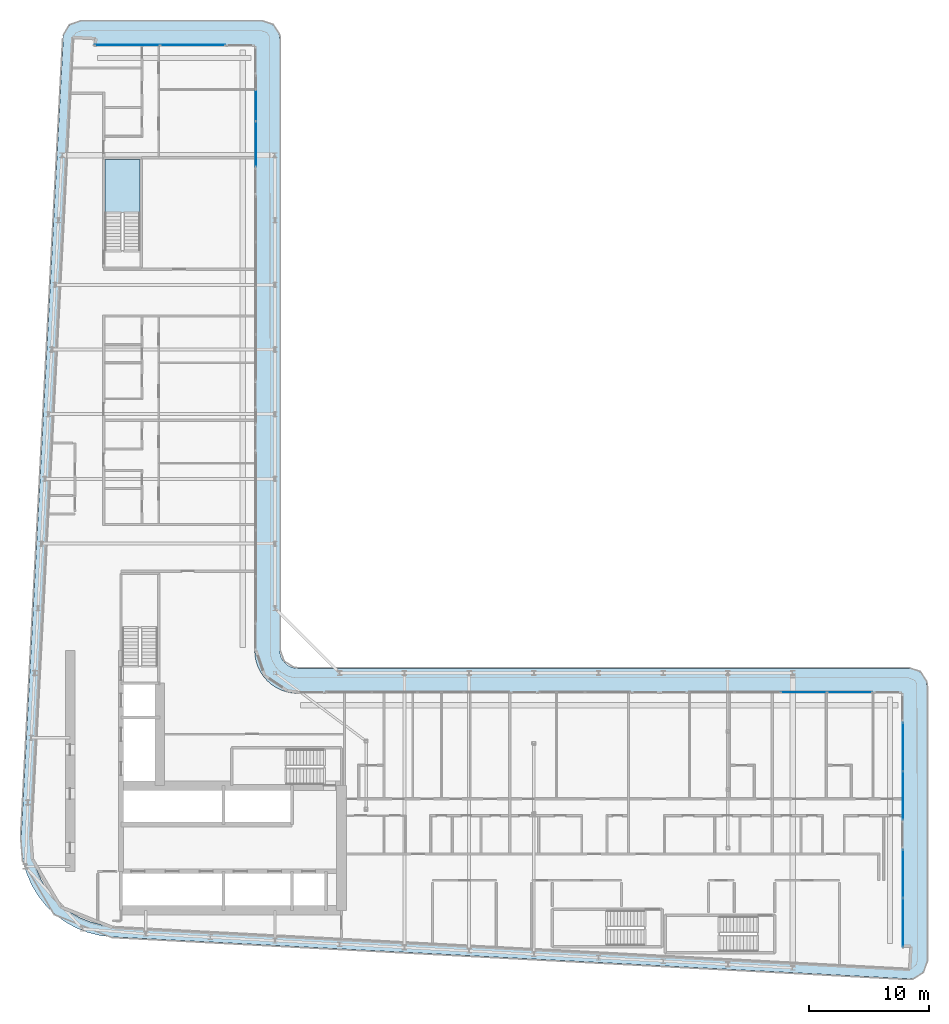
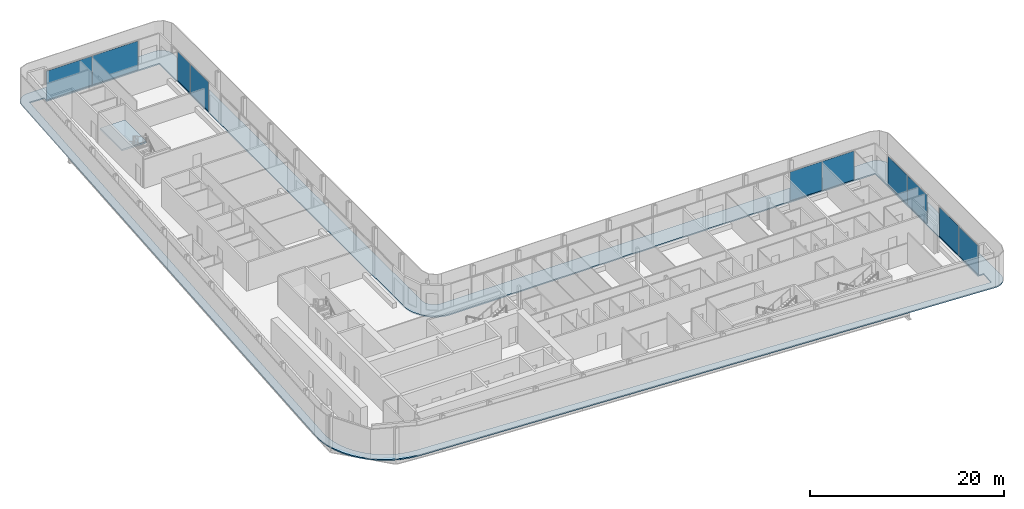
# One storey, part 14 of 30: 10 plates, 2 slabs, 6 elements without a shape of their own.
"""IFC4 building model written with IfcOpenShell, lengths in metres."""

from ifc_helpers import new_model, si_unit, direction, frame, origin, origin_2d, place, context, subcontext, project, spatial, polyline, rectangle, outline, extrude, material, layer, layer_set, type_object, element, aggregate, save


model = new_model("IFC4")

# Units and contexts
model_context = context("Model", 3, precision=1e-05, world=origin(), true_north=direction((0.0, 1.0)))
body_context = subcontext(model_context, "Body", "Model", "MODEL_VIEW")
ifc_project = project(units=[si_unit("LENGTHUNIT", "METRE"), si_unit("AREAUNIT", "SQUARE_METRE"), si_unit("VOLUMEUNIT", "CUBIC_METRE"), si_unit("PLANEANGLEUNIT", "RADIAN"), si_unit("MASSUNIT", "GRAM", prefix="KILO")], contexts=[model_context])

# Site, building, storey
site_placement = place(None, origin())
site = spatial("IfcSite", under=ifc_project, at=site_placement, CompositionType="ELEMENT")
building_placement = place(site_placement, origin())
building = spatial("IfcBuilding", under=site, at=building_placement, Name="Kheshtan School and Residences Tower", CompositionType="ELEMENT")
storey_placement = place(building_placement, frame((0.0, 0.0, 199.39990234375)))
storey = spatial("IfcBuildingStorey", under=building, at=storey_placement, Name="L47", CompositionType="ELEMENT", Elevation=199.39990234375)

# Curtain wall, plates
ifc_material_1 = material(Name="Clear low-e glass in thermally broken aluminium frame", Category="aluminium")
ifc_layer_1 = layer(ifc_material_1, 0.199951171875)
ifc_layer_set_1 = layer_set([ifc_layer_1], Name="Curtain wall CW-L")
curtain_wall_type = type_object("IfcCurtainWallType", Name="Curtain wall CW-L", PredefinedType="NOTDEFINED", material=ifc_layer_set_1)
curtain_wall_1_placement = place(storey_placement, origin())
curtain_wall_1 = element("IfcCurtainWall", 1, at=curtain_wall_1_placement, inside=storey, type_object=curtain_wall_type, Name="Curtain wall CWL7", PredefinedType="NOTDEFINED")
ifc_layer_2 = layer(ifc_material_1, 0.031982421875)
ifc_layer_set_2 = layer_set([ifc_layer_2], Name="CW-L glass panel")
plate_type = type_object("IfcPlateType", Name="CW-L glass panel", PredefinedType="CURTAIN_PANEL", material=ifc_layer_set_2)
plate_1_placement = place(storey_placement, frame((35.259033203125, 98.0, 0.000244140625), z_axis=(0.0, 0.0, 1.0), x_axis=(1.0, 0.0, 0.0)))
plate_1 = element("IfcPlate", 2, at=plate_1_placement, type_object=plate_type, Name="CWL7 panel 1.1", PredefinedType="CURTAIN_PANEL", context=body_context, shape_type="SweptSolid", body=[
    extrude(rectangle(XDim=5.4140625, YDim=0.031982421875, at=origin_2d()), origin(), (0.0, 0.0, 1.0), 3.6298828125),
])
plate_2_placement = place(storey_placement, frame((40.73291015625, 98.0, 0.000244140625), z_axis=(0.0, 0.0, 1.0), x_axis=(1.0, 0.0, 0.0)))
plate_2 = element("IfcPlate", 3, at=plate_2_placement, type_object=plate_type, Name="CWL7 panel 2.1", PredefinedType="CURTAIN_PANEL", context=body_context, shape_type="SweptSolid", body=[
    extrude(rectangle(XDim=5.4140625, YDim=0.031982421875, at=origin_2d()), origin(), (0.0, 0.0, 1.0), 3.6298828125),
])
aggregate(curtain_wall_1, [plate_1, plate_2])

curtain_wall_2_placement = place(storey_placement, origin())
curtain_wall_2 = element("IfcCurtainWall", 4, at=curtain_wall_2_placement, inside=storey, type_object=curtain_wall_type, Name="Curtain wall CWL8c", PredefinedType="NOTDEFINED")
plate_3_placement = place(storey_placement, frame((46.0, 92.9765625, 0.000244140625), z_axis=(0.0, 0.0, 1.0), x_axis=(0.0, -1.0, 0.0)))
plate_3 = element("IfcPlate", 5, at=plate_3_placement, type_object=plate_type, Name="CWL8c panel 2.1", PredefinedType="CURTAIN_PANEL", context=body_context, shape_type="SweptSolid", body=[
    extrude(rectangle(XDim=2.5869140625, YDim=0.031982421875, at=origin_2d()), origin(), (0.0, 0.0, 1.0), 3.6298828125),
])
plate_4_placement = place(storey_placement, frame((46.0, 89.744384765625, 0.000244140625), z_axis=(0.0, 0.0, 1.0), x_axis=(0.0, -1.0, 0.0)))
plate_4 = element("IfcPlate", 6, at=plate_4_placement, type_object=plate_type, Name="CWL8c panel 3.1", PredefinedType="CURTAIN_PANEL", context=body_context, shape_type="SweptSolid", body=[
    extrude(rectangle(XDim=3.757080078125, YDim=0.031982421875, at=origin_2d()), origin(), (0.0, 0.0, 1.0), 3.6298828125),
])
aggregate(curtain_wall_2, [plate_3, plate_4])

curtain_wall_3_placement = place(storey_placement, origin())
curtain_wall_3 = element("IfcCurtainWall", 7, at=curtain_wall_3_placement, inside=storey, type_object=curtain_wall_type, Name="Curtain wall CWL12j", PredefinedType="NOTDEFINED")
plate_5_placement = place(storey_placement, frame((91.714599609375, 44.0, 0.000244140625), z_axis=(0.0, 0.0, 1.0), x_axis=(1.0, 0.0, 0.0)))
plate_5 = element("IfcPlate", 8, at=plate_5_placement, type_object=plate_type, Name="CWL12j panel 1.1", PredefinedType="CURTAIN_PANEL", context=body_context, shape_type="SweptSolid", body=[
    extrude(rectangle(XDim=3.81689453125, YDim=0.031982421875, at=origin_2d()), origin(), (0.0, 0.0, 1.0), 3.6298828125),
])
plate_6_placement = place(storey_placement, frame((95.5615234375, 44.0, 0.000244140625), z_axis=(0.0, 0.0, 1.0), x_axis=(1.0, 0.0, 0.0)))
plate_6 = element("IfcPlate", 9, at=plate_6_placement, type_object=plate_type, Name="CWL12j panel 2.1", PredefinedType="CURTAIN_PANEL", context=body_context, shape_type="SweptSolid", body=[
    extrude(rectangle(XDim=3.757080078125, YDim=0.031982421875, at=origin_2d()), origin(), (0.0, 0.0, 1.0), 3.6298828125),
])
aggregate(curtain_wall_3, [plate_5, plate_6])

curtain_wall_4_placement = place(storey_placement, origin())
curtain_wall_4 = element("IfcCurtainWall", 10, at=curtain_wall_4_placement, inside=storey, type_object=curtain_wall_type, Name="Curtain wall CWL13b", PredefinedType="NOTDEFINED")
plate_7_placement = place(storey_placement, frame((100.0, 39.436767578125, 0.000244140625), z_axis=(0.0, 0.0, 1.0), x_axis=(0.0, -1.0, 0.0)))
plate_7 = element("IfcPlate", 11, at=plate_7_placement, type_object=plate_type, Name="CWL13b panel 1.1", PredefinedType="CURTAIN_PANEL", context=body_context, shape_type="SweptSolid", body=[
    extrude(rectangle(XDim=4.006591796875, YDim=0.031982421875, at=origin_2d()), origin(), (0.0, 0.0, 1.0), 3.6298828125),
])
plate_8_placement = place(storey_placement, frame((100.0, 35.370361328125, 0.000244140625), z_axis=(0.0, 0.0, 1.0), x_axis=(0.0, -1.0, 0.0)))
plate_8 = element("IfcPlate", 12, at=plate_8_placement, type_object=plate_type, Name="CWL13b panel 2.1", PredefinedType="CURTAIN_PANEL", context=body_context, shape_type="SweptSolid", body=[
    extrude(rectangle(XDim=4.006591796875, YDim=0.031982421875, at=origin_2d()), origin(), (0.0, 0.0, 1.0), 3.6298828125),
])
aggregate(curtain_wall_4, [plate_7, plate_8])

curtain_wall_5_placement = place(storey_placement, origin())
curtain_wall_5 = element("IfcCurtainWall", 13, at=curtain_wall_5_placement, inside=storey, type_object=curtain_wall_type, Name="Curtain wall CWL13b", PredefinedType="NOTDEFINED")
plate_9_placement = place(storey_placement, frame((100.0, 28.84375, 0.000244140625), z_axis=(0.0, 0.0, 1.0), x_axis=(0.0, -1.0, 0.0)))
plate_9 = element("IfcPlate", 14, at=plate_9_placement, type_object=plate_type, Name="CWL13b panel 1.1", PredefinedType="CURTAIN_PANEL", context=body_context, shape_type="SweptSolid", body=[
    extrude(rectangle(XDim=4.006591796875, YDim=0.031982421875, at=origin_2d()), origin(), (0.0, 0.0, 1.0), 3.6298828125),
])
plate_10_placement = place(storey_placement, frame((100.0, 24.77734375, 0.000244140625), z_axis=(0.0, 0.0, 1.0), x_axis=(0.0, -1.0, 0.0)))
plate_10 = element("IfcPlate", 15, at=plate_10_placement, type_object=plate_type, Name="CWL13b panel 2.1", PredefinedType="CURTAIN_PANEL", context=body_context, shape_type="SweptSolid", body=[
    extrude(rectangle(XDim=4.006591796875, YDim=0.031982421875, at=origin_2d()), origin(), (0.0, 0.0, 1.0), 3.6298828125),
])
aggregate(curtain_wall_5, [plate_9, plate_10])

# Slab
ifc_material_2 = material(Name="Concrete C40/50", Category="concrete")
ifc_layer_3 = layer(ifc_material_2, 0.14990234375)
ifc_layer_set_3 = layer_set([ifc_layer_3], Name="Loggia balcony slab 150 Concrete C40/50")
slab_type_1 = type_object("IfcSlabType", Name="Loggia balcony slab 150 Concrete C40/50", PredefinedType="FLOOR", material=ifc_layer_set_3)
slab_1_placement = place(storey_placement, frame((0.0, 0.0, -0.14990234375)))
element("IfcSlab", 16, at=slab_1_placement, inside=storey, type_object=slab_type_1, Name="Loggia balcony slab L47", PredefinedType="FLOOR", context=body_context, shape_type="SweptSolid", body=[
    extrude(outline(polyline([(28.4580078125, 26.222900390625), (28.45703125, 26.222900390625), (28.45703125, 26.22412109375), (28.4560546875, 26.22412109375), (27.81494140625, 27.0390625), (27.281005859375, 27.93798828125), (26.867919921875, 28.89990234375), (26.583984375, 29.89990234375), (26.583984375, 29.906982421875), (26.43408203125, 30.943115234375), (26.419921875, 31.989013671875), (29.925048828125, 98.5791015625), (29.930908203125, 98.626953125), (29.930908203125, 98.6279296875), (29.929931640625, 98.6279296875), (29.929931640625, 98.62890625), (29.928955078125, 98.62890625), (29.928955078125, 98.6298828125), (29.927978515625, 98.6298828125), (29.927978515625, 98.631103515625), (29.927001953125, 98.631103515625), (29.927001953125, 98.632080078125), (29.927001953125, 98.633056640625), (29.945068359375, 98.781005859375), (29.945068359375, 98.783935546875), (29.945068359375, 98.784912109375), (29.946044921875, 98.784912109375), (29.946044921875, 98.785888671875), (29.947021484375, 98.785888671875), (29.947021484375, 98.787109375), (29.947998046875, 98.787109375), (29.948974609375, 98.787109375), (29.948974609375, 98.7880859375), (29.949951171875, 98.7880859375), (29.949951171875, 98.7890625), (29.949951171875, 98.791015625), (30.0029296875, 98.98388671875), (30.083984375, 99.175048828125), (30.18896484375, 99.35302734375), (30.31103515625, 99.507080078125), (30.31201171875, 99.507080078125), (30.31201171875, 99.508056640625), (30.31298828125, 99.508056640625), (30.31298828125, 99.509033203125), (30.31396484375, 99.509033203125), (30.31396484375, 99.510009765625), (30.31494140625, 99.510009765625), (30.31494140625, 99.510986328125), (30.31591796875, 99.510986328125), (30.31591796875, 99.511962890625), (30.31689453125, 99.511962890625), (30.31689453125, 99.512939453125), (30.318115234375, 99.512939453125), (30.320068359375, 99.512939453125), (30.321044921875, 99.512939453125), (30.321044921875, 99.513916015625), (30.468017578125, 99.656982421875), (30.468994140625, 99.656982421875), (30.468994140625, 99.657958984375), (30.469970703125, 99.657958984375), (30.469970703125, 99.658935546875), (30.470947265625, 99.658935546875), (30.470947265625, 99.659912109375), (30.471923828125, 99.659912109375), (30.471923828125, 99.660888671875), (30.472900390625, 99.660888671875), (30.472900390625, 99.662109375), (30.47412109375, 99.662109375), (30.47412109375, 99.6630859375), (30.47509765625, 99.6630859375), (30.47509765625, 99.6640625), (30.635986328125, 99.777099609375), (30.820068359375, 99.873046875), (31.007080078125, 99.943115234375), (31.013916015625, 99.943115234375), (31.217041015625, 99.986083984375), (31.423095703125, 100.0), (46.5, 100.0), (46.696044921875, 99.987060546875), (46.887939453125, 99.948974609375), (46.89501953125, 99.948974609375), (47.073974609375, 99.885986328125), (47.243896484375, 99.801025390625), (47.2451171875, 99.801025390625), (47.2470703125, 99.801025390625), (47.248046875, 99.801025390625), (47.248046875, 99.802001953125), (47.2490234375, 99.802001953125), (47.2490234375, 99.802978515625), (47.25, 99.802978515625), (47.2529296875, 99.802978515625), (47.25390625, 99.802978515625), (47.25390625, 99.802001953125), (47.2548828125, 99.802001953125), (47.2548828125, 99.801025390625), (47.256103515625, 99.801025390625), (47.256103515625, 99.800048828125), (47.257080078125, 99.800048828125), (47.257080078125, 99.799072265625), (47.258056640625, 99.799072265625), (47.258056640625, 99.798095703125), (47.412109375, 99.696044921875), (47.4130859375, 99.696044921875), (47.4130859375, 99.695068359375), (47.4140625, 99.695068359375), (47.4140625, 99.694091796875), (47.4140625, 99.68994140625), (47.4140625, 99.68896484375), (47.4150390625, 99.68896484375), (47.4150390625, 99.68798828125), (47.416015625, 99.68798828125), (47.416015625, 99.68701171875), (47.4169921875, 99.68701171875), (47.4169921875, 99.68603515625), (47.554931640625, 99.568115234375), (47.554931640625, 99.56689453125), (47.555908203125, 99.56689453125), (47.555908203125, 99.56591796875), (47.556884765625, 99.56591796875), (47.556884765625, 99.56494140625), (47.55810546875, 99.56494140625), (47.55810546875, 99.56396484375), (47.55908203125, 99.56396484375), (47.55908203125, 99.56298828125), (47.56005859375, 99.56298828125), (47.56005859375, 99.56201171875), (47.56103515625, 99.56201171875), (47.56201171875, 99.56103515625), (47.56201171875, 99.56005859375), (47.56298828125, 99.56005859375), (47.56298828125, 99.55908203125), (47.56396484375, 99.55908203125), (47.56396484375, 99.55810546875), (47.56494140625, 99.55810546875), (47.56494140625, 99.556884765625), (47.56591796875, 99.556884765625), (47.56591796875, 99.555908203125), (47.56689453125, 99.555908203125), (47.56689453125, 99.554931640625), (47.568115234375, 99.554931640625), (47.68505859375, 99.41796875), (47.68603515625, 99.41796875), (47.68603515625, 99.4169921875), (47.68701171875, 99.4169921875), (47.68701171875, 99.416015625), (47.68798828125, 99.416015625), (47.68798828125, 99.4150390625), (47.68896484375, 99.4150390625), (47.68896484375, 99.4140625), (47.68994140625, 99.4140625), (47.694091796875, 99.4140625), (47.695068359375, 99.4140625), (47.695068359375, 99.4130859375), (47.696044921875, 99.4130859375), (47.696044921875, 99.412109375), (47.797119140625, 99.259033203125), (47.798095703125, 99.259033203125), (47.798095703125, 99.258056640625), (47.799072265625, 99.258056640625), (47.799072265625, 99.257080078125), (47.800048828125, 99.257080078125), (47.800048828125, 99.256103515625), (47.801025390625, 99.256103515625), (47.801025390625, 99.2548828125), (47.802001953125, 99.2548828125), (47.802001953125, 99.25390625), (47.802978515625, 99.25390625), (47.802978515625, 99.2529296875), (47.802978515625, 99.25), (47.802978515625, 99.2490234375), (47.802001953125, 99.2490234375), (47.802001953125, 99.248046875), (47.801025390625, 99.248046875), (47.801025390625, 99.2470703125), (47.801025390625, 99.243896484375), (47.801025390625, 99.242919921875), (47.885986328125, 99.073974609375), (47.948974609375, 98.89501953125), (47.948974609375, 98.887939453125), (47.987060546875, 98.696044921875), (48.0, 98.5), (48.0, 47.5), (48.012939453125, 47.303955078125), (48.051025390625, 47.113037109375), (48.051025390625, 47.10693359375), (48.051025390625, 47.10595703125), (48.114013671875, 46.926025390625), (48.200927734375, 46.75), (48.31005859375, 46.5869140625), (48.431884765625, 46.444091796875), (48.43310546875, 46.444091796875), (48.43310546875, 46.443115234375), (48.43408203125, 46.443115234375), (48.43408203125, 46.44189453125), (48.43505859375, 46.44189453125), (48.43505859375, 46.44091796875), (48.43603515625, 46.44091796875), (48.43603515625, 46.43994140625), (48.43701171875, 46.43994140625), (48.43701171875, 46.43896484375), (48.43798828125, 46.43896484375), (48.43896484375, 46.43798828125), (48.43896484375, 46.43701171875), (48.43994140625, 46.43701171875), (48.43994140625, 46.43603515625), (48.44091796875, 46.43603515625), (48.44091796875, 46.43505859375), (48.44189453125, 46.43505859375), (48.44189453125, 46.43408203125), (48.443115234375, 46.43408203125), (48.443115234375, 46.43310546875), (48.444091796875, 46.43310546875), (48.444091796875, 46.431884765625), (48.5869140625, 46.31005859375), (48.75, 46.200927734375), (48.926025390625, 46.114013671875), (49.10595703125, 46.051025390625), (49.10693359375, 46.051025390625), (49.113037109375, 46.051025390625), (49.303955078125, 46.012939453125), (49.5, 46.0), (100.5, 46.0), (100.696044921875, 45.987060546875), (100.887939453125, 45.948974609375), (100.89501953125, 45.948974609375), (101.073974609375, 45.885986328125), (101.241943359375, 45.801025390625), (101.242919921875, 45.801025390625), (101.2470703125, 45.801025390625), (101.248046875, 45.801025390625), (101.248046875, 45.802001953125), (101.2490234375, 45.802001953125), (101.2490234375, 45.802978515625), (101.25, 45.802978515625), (101.2529296875, 45.802978515625), (101.25390625, 45.802978515625), (101.25390625, 45.802001953125), (101.2548828125, 45.802001953125), (101.2548828125, 45.801025390625), (101.256103515625, 45.801025390625), (101.256103515625, 45.800048828125), (101.257080078125, 45.800048828125), (101.257080078125, 45.799072265625), (101.258056640625, 45.799072265625), (101.258056640625, 45.798095703125), (101.259033203125, 45.798095703125), (101.259033203125, 45.797119140625), (101.260009765625, 45.797119140625), (101.260009765625, 45.7958984375), (101.412109375, 45.696044921875), (101.4130859375, 45.696044921875), (101.4130859375, 45.695068359375), (101.4140625, 45.695068359375), (101.4140625, 45.694091796875), (101.4140625, 45.68994140625), (101.4140625, 45.68896484375), (101.4150390625, 45.68896484375), (101.4150390625, 45.68798828125), (101.416015625, 45.68798828125), (101.416015625, 45.68701171875), (101.4169921875, 45.68701171875), (101.4169921875, 45.68603515625), (101.41796875, 45.68603515625), (101.41796875, 45.68505859375), (101.4189453125, 45.68505859375), (101.4189453125, 45.68408203125), (101.554931640625, 45.568115234375), (101.554931640625, 45.56689453125), (101.555908203125, 45.56689453125), (101.555908203125, 45.56591796875), (101.556884765625, 45.56591796875), (101.556884765625, 45.56494140625), (101.55810546875, 45.56494140625), (101.55810546875, 45.56396484375), (101.55908203125, 45.56396484375), (101.55908203125, 45.56298828125), (101.56005859375, 45.56298828125), (101.56005859375, 45.56201171875), (101.56103515625, 45.56201171875), (101.56201171875, 45.56103515625), (101.56201171875, 45.56005859375), (101.56298828125, 45.56005859375), (101.56298828125, 45.55908203125), (101.56396484375, 45.55908203125), (101.56396484375, 45.55810546875), (101.56494140625, 45.55810546875), (101.56494140625, 45.556884765625), (101.56591796875, 45.556884765625), (101.56591796875, 45.555908203125), (101.56689453125, 45.555908203125), (101.56689453125, 45.554931640625), (101.568115234375, 45.554931640625), (101.681884765625, 45.4208984375), (101.68310546875, 45.4208984375), (101.68310546875, 45.419921875), (101.68408203125, 45.419921875), (101.68408203125, 45.4189453125), (101.68505859375, 45.4189453125), (101.68505859375, 45.41796875), (101.68603515625, 45.41796875), (101.68603515625, 45.4169921875), (101.68701171875, 45.4169921875), (101.68701171875, 45.416015625), (101.68798828125, 45.416015625), (101.68798828125, 45.4150390625), (101.68896484375, 45.4150390625), (101.68896484375, 45.4140625), (101.68994140625, 45.4140625), (101.694091796875, 45.4140625), (101.695068359375, 45.4140625), (101.695068359375, 45.4130859375), (101.696044921875, 45.4130859375), (101.696044921875, 45.412109375), (101.7939453125, 45.261962890625), (101.794921875, 45.261962890625), (101.794921875, 45.260986328125), (101.7958984375, 45.260986328125), (101.7958984375, 45.260009765625), (101.797119140625, 45.260009765625), (101.797119140625, 45.259033203125), (101.798095703125, 45.259033203125), (101.798095703125, 45.258056640625), (101.799072265625, 45.258056640625), (101.799072265625, 45.257080078125), (101.800048828125, 45.257080078125), (101.800048828125, 45.256103515625), (101.801025390625, 45.256103515625), (101.801025390625, 45.2548828125), (101.802001953125, 45.2548828125), (101.802001953125, 45.25390625), (101.802978515625, 45.25390625), (101.802978515625, 45.2529296875), (101.802978515625, 45.25), (101.802978515625, 45.2490234375), (101.802001953125, 45.2490234375), (101.802001953125, 45.248046875), (101.801025390625, 45.248046875), (101.801025390625, 45.2470703125), (101.801025390625, 45.240966796875), (101.801025390625, 45.239990234375), (101.885986328125, 45.073974609375), (101.948974609375, 44.89501953125), (101.948974609375, 44.887939453125), (101.987060546875, 44.696044921875), (102.0, 44.5), (102.0, 21.5810546875), (101.986083984375, 21.37890625), (101.945068359375, 21.179931640625), (101.945068359375, 21.173095703125), (101.8779296875, 20.989013671875), (101.785888671875, 20.80810546875), (101.6708984375, 20.64306640625), (101.6708984375, 20.64208984375), (101.6708984375, 20.64111328125), (101.6708984375, 20.639892578125), (101.672119140625, 20.639892578125), (101.672119140625, 20.638916015625), (101.672119140625, 20.636962890625), (101.672119140625, 20.635986328125), (101.6708984375, 20.635986328125), (101.6708984375, 20.635009765625), (101.5380859375, 20.491943359375), (101.534912109375, 20.489013671875), (101.533935546875, 20.489013671875), (101.533935546875, 20.488037109375), (101.532958984375, 20.488037109375), (101.531005859375, 20.488037109375), (101.530029296875, 20.488037109375), (101.530029296875, 20.489013671875), (101.529052734375, 20.489013671875), (101.528076171875, 20.489013671875), (101.527099609375, 20.489013671875), (101.3759765625, 20.364013671875), (101.2041015625, 20.256103515625), (101.01904296875, 20.174072265625), (100.8310546875, 20.116943359375), (100.823974609375, 20.116943359375), (100.6240234375, 20.0859375), (100.4208984375, 20.0830078125), (33.989013671875, 23.580078125), (33.94189453125, 23.5859375), (33.94091796875, 23.5859375), (33.93994140625, 23.5859375), (33.93994140625, 23.5849609375), (33.93896484375, 23.5849609375), (33.93896484375, 23.583984375), (33.93798828125, 23.583984375), (33.93798828125, 23.5830078125), (33.93701171875, 23.5830078125), (33.93701171875, 23.58203125), (33.93603515625, 23.58203125), (33.93505859375, 23.58203125), (32.952880859375, 23.697998046875), (32.949951171875, 23.697998046875), (32.948974609375, 23.697998046875), (32.948974609375, 23.698974609375), (32.947998046875, 23.698974609375), (32.947998046875, 23.699951171875), (32.947021484375, 23.699951171875), (32.947021484375, 23.700927734375), (32.947021484375, 23.702880859375), (32.947021484375, 23.7041015625), (32.946044921875, 23.7041015625), (32.946044921875, 23.705078125), (32.945068359375, 23.705078125), (32.944091796875, 23.705078125), (31.93603515625, 23.9609375), (31.928955078125, 23.9609375), (30.964111328125, 24.34912109375), (30.051025390625, 24.860107421875), (29.218994140625, 25.47900390625), (29.218994140625, 25.47998046875), (29.218017578125, 25.47998046875), (29.218017578125, 25.48095703125), (29.217041015625, 25.48095703125), (29.217041015625, 25.48193359375), (29.216064453125, 25.48193359375), (29.216064453125, 25.48291015625), (29.215087890625, 25.48291015625), (29.215087890625, 25.48388671875), (29.214111328125, 25.48388671875), (29.214111328125, 25.485107421875), (29.212890625, 25.485107421875), (29.212890625, 25.486083984375), (29.2119140625, 25.486083984375), (28.466064453125, 26.217041015625), (28.466064453125, 26.218017578125), (28.465087890625, 26.218017578125), (28.462890625, 26.218017578125), (28.4619140625, 26.218017578125), (28.4619140625, 26.218994140625), (28.4609375, 26.218994140625), (28.4609375, 26.219970703125), (28.4599609375, 26.219970703125), (28.4599609375, 26.220947265625), (28.458984375, 26.220947265625), (28.458984375, 26.221923828125), (28.4580078125, 26.221923828125), (28.4580078125, 26.222900390625)]), holes=[polyline([(29.12890625, 26.824951171875), (29.12890625, 26.823974609375), (29.1298828125, 26.823974609375), (29.1298828125, 26.822998046875), (29.131103515625, 26.822998046875), (29.131103515625, 26.822021484375), (29.132080078125, 26.822021484375), (29.132080078125, 26.821044921875), (29.133056640625, 26.821044921875), (29.133056640625, 26.820068359375), (29.134033203125, 26.820068359375), (29.7958984375, 26.173095703125), (29.7958984375, 26.172119140625), (29.797119140625, 26.172119140625), (29.798095703125, 26.172119140625), (29.799072265625, 26.172119140625), (29.799072265625, 26.1708984375), (29.800048828125, 26.1708984375), (29.800048828125, 26.169921875), (29.801025390625, 26.169921875), (29.801025390625, 26.1689453125), (29.802001953125, 26.1689453125), (29.802001953125, 26.16796875), (29.802978515625, 26.16796875), (29.802978515625, 26.1669921875), (29.803955078125, 26.1669921875), (29.803955078125, 26.166015625), (30.541015625, 25.616943359375), (31.35205078125, 25.1630859375), (32.208984375, 24.819091796875), (32.2099609375, 24.819091796875), (32.216064453125, 24.819091796875), (33.114990234375, 24.590087890625), (34.06591796875, 24.47705078125), (100.43798828125, 20.98291015625), (100.465087890625, 20.98388671875), (100.466064453125, 20.98388671875), (100.467041015625, 20.98388671875), (100.467041015625, 20.985107421875), (100.468017578125, 20.985107421875), (100.468017578125, 20.986083984375), (100.468017578125, 20.987060546875), (100.55810546875, 22.676025390625), (100.55810546875, 22.677001953125), (100.55810546875, 22.677978515625), (100.556884765625, 22.677978515625), (100.556884765625, 22.678955078125), (100.555908203125, 22.678955078125), (100.554931640625, 22.678955078125), (99.90087890625, 22.714111328125), (99.89990234375, 22.714111328125), (99.89990234375, 22.715087890625), (99.89990234375, 43.89794921875), (99.89990234375, 43.89892578125), (99.89892578125, 43.89892578125), (99.89892578125, 43.89990234375), (99.89794921875, 43.89990234375), (49.429931640625, 43.89990234375), (49.030029296875, 43.927001953125), (48.569091796875, 44.01806640625), (48.56201171875, 44.01806640625), (48.1201171875, 44.169921875), (47.697021484375, 44.37890625), (47.30810546875, 44.638916015625), (46.95703125, 44.944091796875), (46.95703125, 44.945068359375), (46.9560546875, 44.945068359375), (46.9560546875, 44.946044921875), (46.955078125, 44.946044921875), (46.955078125, 44.947021484375), (46.9541015625, 44.947021484375), (46.9541015625, 44.947998046875), (46.952880859375, 44.947998046875), (46.952880859375, 44.948974609375), (46.951904296875, 44.948974609375), (46.951904296875, 44.949951171875), (46.951904296875, 44.950927734375), (46.950927734375, 44.950927734375), (46.950927734375, 44.951904296875), (46.949951171875, 44.951904296875), (46.948974609375, 44.951904296875), (46.948974609375, 44.952880859375), (46.947998046875, 44.952880859375), (46.947998046875, 44.9541015625), (46.947021484375, 44.9541015625), (46.947021484375, 44.955078125), (46.946044921875, 44.955078125), (46.946044921875, 44.9560546875), (46.945068359375, 44.9560546875), (46.945068359375, 44.95703125), (46.944091796875, 44.95703125), (46.638916015625, 45.30810546875), (46.37890625, 45.697021484375), (46.169921875, 46.1201171875), (46.01806640625, 46.56201171875), (46.01806640625, 46.569091796875), (45.927001953125, 47.030029296875), (45.89990234375, 47.429931640625), (45.89990234375, 97.89794921875), (45.89990234375, 97.89892578125), (45.89892578125, 97.89892578125), (45.89892578125, 97.89990234375), (45.89794921875, 97.89990234375), (32.492919921875, 97.89990234375), (32.491943359375, 97.89990234375), (32.52099609375, 98.43896484375), (32.52099609375, 98.43994140625), (32.52099609375, 98.44091796875), (32.52001953125, 98.44091796875), (32.52001953125, 98.44189453125), (32.51904296875, 98.44189453125), (32.51806640625, 98.44189453125), (30.8291015625, 98.531982421875), (30.827880859375, 98.531982421875), (30.826904296875, 98.531982421875), (30.826904296875, 98.531005859375), (30.825927734375, 98.531005859375), (30.825927734375, 98.530029296875), (30.825927734375, 98.529052734375), (30.822021484375, 98.5009765625), (27.320068359375, 31.970947265625), (27.3330078125, 31.013916015625), (27.466064453125, 30.093994140625), (27.466064453125, 30.087890625), (27.466064453125, 30.0869140625), (27.718017578125, 29.200927734375), (28.0849609375, 28.345947265625), (28.55908203125, 27.550048828125), (29.126953125, 26.825927734375), (29.1279296875, 26.825927734375), (29.1279296875, 26.824951171875), (29.12890625, 26.824951171875)])]), origin(), (0.0, 0.0, 1.0), 0.14990234375),
])

# Stair, slab
stair_type = type_object("IfcStairType", Name="Exit stair, half-turn", PredefinedType="HALF_TURN_STAIR", material=ifc_material_2)
stair_placement = place(storey_placement, origin())
stair = element("IfcStair", 17, at=stair_placement, inside=storey, type_object=stair_type, Name="L47 Protected Exit Stair ST3", PredefinedType="HALF_TURN_STAIR")
ifc_layer_4 = layer(ifc_material_2, 0.199951171875)
ifc_layer_set_4 = layer_set([ifc_layer_4], Name="Stair landing 200 Concrete C40/50")
slab_type_2 = type_object("IfcSlabType", Name="Stair landing 200 Concrete C40/50", PredefinedType="LANDING", material=ifc_layer_set_4)
slab_2_placement = place(storey_placement, frame((0.0, 0.0, 1.75)))
slab_2 = element("IfcSlab", 18, at=slab_2_placement, type_object=slab_type_2, Name="ST3 landing 1", PredefinedType="LANDING", context=body_context, shape_type="SweptSolid", body=[
    extrude(outline(polyline([(36.35009765625, 83.97998046875), (36.35009765625, 88.4599609375), (33.39990234375, 88.4599609375), (33.39990234375, 83.97998046875), (36.35009765625, 83.97998046875)])), origin(), (0.0, 0.0, 1.0), 0.2001953125),
])
aggregate(stair, [slab_2])

save(model, "model.ifc")
